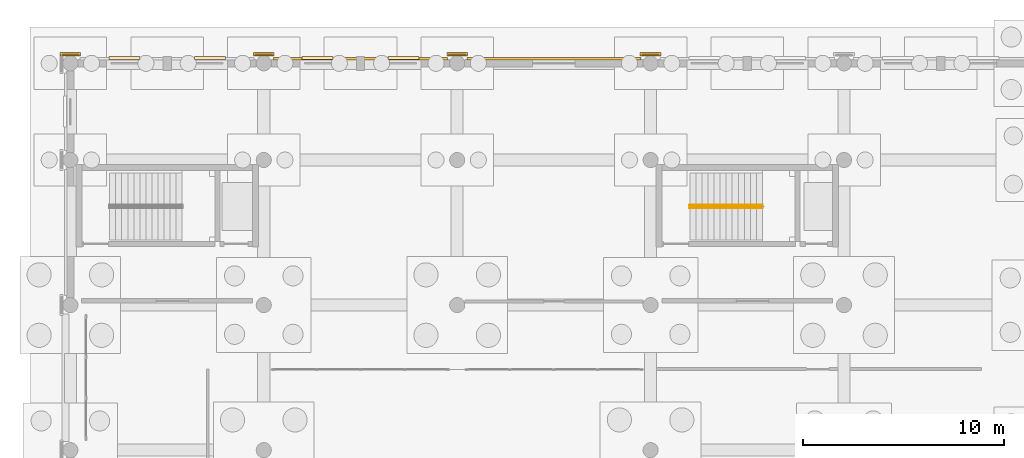
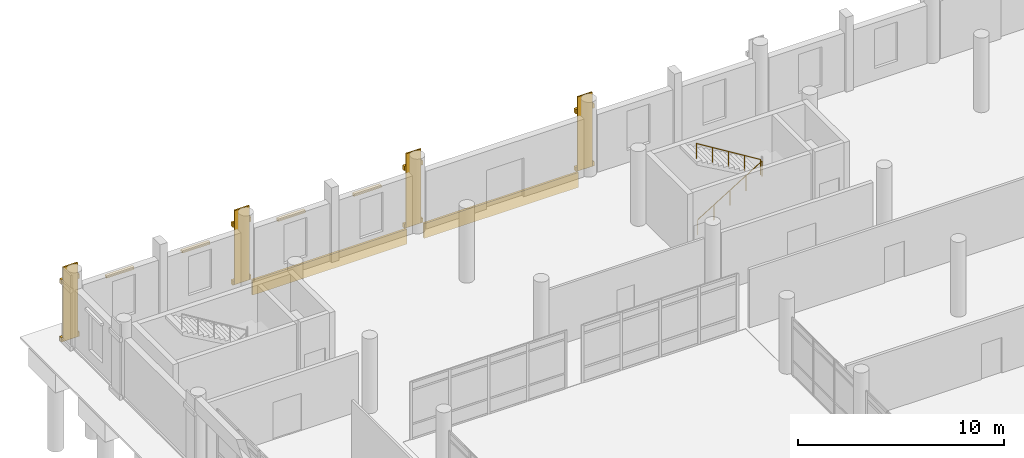
# One storey, part 185 of 196: 18 coverings, 2 railings.
"""IFC4 building model written with IfcOpenShell, lengths in metres."""

from ifc_helpers import new_model, si_unit, direction, frame, origin, origin_2d, place, context, subcontext, project, spatial, rectangle, circle, extrude, material, layer, layer_set, type_object, element, save


model = new_model("IFC4")

# Units and contexts
model_context = context("Model", 3, precision=1e-05, world=origin(), true_north=direction((0.0, 1.0)))
body_context = subcontext(model_context, "Body", "Model", "MODEL_VIEW")
ifc_project = project(units=[si_unit("LENGTHUNIT", "METRE"), si_unit("AREAUNIT", "SQUARE_METRE"), si_unit("VOLUMEUNIT", "CUBIC_METRE"), si_unit("PLANEANGLEUNIT", "RADIAN"), si_unit("MASSUNIT", "GRAM", prefix="KILO")], contexts=[model_context])

# Site, building, storey
site_placement = place(None, origin())
site = spatial("IfcSite", under=ifc_project, at=site_placement, CompositionType="ELEMENT")
building_placement = place(site_placement, origin())
building = spatial("IfcBuilding", under=site, at=building_placement, Name="Asteropetra Specialist Clinic", CompositionType="ELEMENT")
storey_placement = place(building_placement, origin())
storey = spatial("IfcBuildingStorey", under=building, at=storey_placement, Name="L00", CompositionType="ELEMENT", Elevation=0.0)

# Coverings
ifc_material_1 = material(Name="Pentelic marble ashlar", Category="masonry")
ifc_layer = layer(ifc_material_1, 0.159912109375)
ifc_layer_set = layer_set([ifc_layer], Name="Pentelic marble ashlar")
covering_type = type_object("IfcCoveringType", Name="CRN-ENTAB-600", PredefinedType="MOLDING", material=ifc_layer_set)
covering_1_placement = place(storey_placement, frame((0.0, 110.806884765625, 0.02001953125), z_axis=(0.0, 0.0, 1.0), x_axis=(1.0, 0.0, 0.0)))
element("IfcCovering", 1, at=covering_1_placement, inside=storey, type_object=covering_type, Name="Neoclassical Pilaster Facing CM-0478", PredefinedType="MOLDING", context=body_context, shape_type="SweptSolid", body=[
    extrude(rectangle(XDim=0.830078125, YDim=0.080078125, at=origin_2d()), origin(), (0.0, 0.0, 1.0), 4.3798828125),
])
for number, where, z_axis, x_axis, name in (
    (2, (0.0, 110.846923828125, 0.009765625), (0.0, 0.0, 1.0), (1.0, 0.0, 0.0), "Doric Base CC-0479"),
    (3, (0.0, 110.846923828125, 3.43017578125), (0.0, 0.0, 1.0), (1.0, 0.0, 0.0), "Doric Capital CC-0480"),
):
    element("IfcCovering", number, at=place(storey_placement, frame(where, z_axis=z_axis, x_axis=x_axis)), inside=storey, type_object=covering_type, Name=name, PredefinedType="MOLDING", context=body_context, shape_type="SweptSolid", body=[
        extrude(rectangle(XDim=1.030029296875, YDim=0.159912109375, at=origin_2d()), origin(), (0.0, 0.0, 1.0), 0.260009765625),
    ])
covering_2_placement = place(storey_placement, frame((9.60009765625, 110.806884765625, 0.02001953125), z_axis=(0.0, 0.0, 1.0), x_axis=(1.0, 0.0, 0.0)))
element("IfcCovering", 4, at=covering_2_placement, inside=storey, type_object=covering_type, Name="Neoclassical Pilaster Facing CM-0487", PredefinedType="MOLDING", context=body_context, shape_type="SweptSolid", body=[
    extrude(rectangle(XDim=0.830078125, YDim=0.080078125, at=origin_2d()), origin(), (0.0, 0.0, 1.0), 4.3798828125),
])
for number, where, z_axis, x_axis, name in (
    (5, (9.60009765625, 110.846923828125, 0.009765625), (0.0, 0.0, 1.0), (1.0, 0.0, 0.0), "Doric Base CC-0488"),
    (6, (9.60009765625, 110.846923828125, 3.43017578125), (0.0, 0.0, 1.0), (1.0, 0.0, 0.0), "Doric Capital CC-0489"),
):
    element("IfcCovering", number, at=place(storey_placement, frame(where, z_axis=z_axis, x_axis=x_axis)), inside=storey, type_object=covering_type, Name=name, PredefinedType="MOLDING", context=body_context, shape_type="SweptSolid", body=[
        extrude(rectangle(XDim=1.030029296875, YDim=0.159912109375, at=origin_2d()), origin(), (0.0, 0.0, 1.0), 0.260009765625),
    ])
covering_3_placement = place(storey_placement, frame((19.199951171875, 110.806884765625, 0.02001953125), z_axis=(0.0, 0.0, 1.0), x_axis=(1.0, 0.0, 0.0)))
element("IfcCovering", 7, at=covering_3_placement, inside=storey, type_object=covering_type, Name="Neoclassical Pilaster Facing CM-0493", PredefinedType="MOLDING", context=body_context, shape_type="SweptSolid", body=[
    extrude(rectangle(XDim=0.830078125, YDim=0.080078125, at=origin_2d()), origin(), (0.0, 0.0, 1.0), 4.3798828125),
])
for number, where, z_axis, x_axis, name in (
    (8, (19.199951171875, 110.846923828125, 0.009765625), (0.0, 0.0, 1.0), (1.0, 0.0, 0.0), "Doric Base CC-0494"),
    (9, (19.199951171875, 110.846923828125, 3.43017578125), (0.0, 0.0, 1.0), (1.0, 0.0, 0.0), "Doric Capital CC-0495"),
):
    element("IfcCovering", number, at=place(storey_placement, frame(where, z_axis=z_axis, x_axis=x_axis)), inside=storey, type_object=covering_type, Name=name, PredefinedType="MOLDING", context=body_context, shape_type="SweptSolid", body=[
        extrude(rectangle(XDim=1.030029296875, YDim=0.159912109375, at=origin_2d()), origin(), (0.0, 0.0, 1.0), 0.260009765625),
    ])
covering_4_placement = place(storey_placement, frame((28.800048828125, 110.806884765625, 0.02001953125), z_axis=(0.0, 0.0, 1.0), x_axis=(1.0, 0.0, 0.0)))
element("IfcCovering", 10, at=covering_4_placement, inside=storey, type_object=covering_type, Name="Neoclassical Pilaster Facing CM-0499", PredefinedType="MOLDING", context=body_context, shape_type="SweptSolid", body=[
    extrude(rectangle(XDim=0.830078125, YDim=0.080078125, at=origin_2d()), origin(), (0.0, 0.0, 1.0), 4.3798828125),
])
for number, where, z_axis, x_axis, name in (
    (11, (28.800048828125, 110.846923828125, 0.009765625), (0.0, 0.0, 1.0), (1.0, 0.0, 0.0), "Doric Base CC-0500"),
    (12, (28.800048828125, 110.846923828125, 3.43017578125), (0.0, 0.0, 1.0), (1.0, 0.0, 0.0), "Doric Capital CC-0501"),
):
    element("IfcCovering", number, at=place(storey_placement, frame(where, z_axis=z_axis, x_axis=x_axis)), inside=storey, type_object=covering_type, Name=name, PredefinedType="MOLDING", context=body_context, shape_type="SweptSolid", body=[
        extrude(rectangle(XDim=1.030029296875, YDim=0.159912109375, at=origin_2d()), origin(), (0.0, 0.0, 1.0), 0.260009765625),
    ])
for number, where, z_axis, x_axis, name in (
    (13, (6.924072265625, 110.659912109375, 3.05029296875), (0.0, 0.0, 1.0), (1.0, 0.0, 0.0), "Classical Window Hood WH-1377"),
    (14, (2.676025390625, 110.659912109375, 3.05029296875), (0.0, 0.0, 1.0), (1.0, 0.0, 0.0), "Classical Window Hood WH-1378"),
    (15, (16.52392578125, 110.659912109375, 3.05029296875), (0.0, 0.0, 1.0), (1.0, 0.0, 0.0), "Classical Window Hood WH-1380"),
    (16, (12.27587890625, 110.659912109375, 3.05029296875), (0.0, 0.0, 1.0), (1.0, 0.0, 0.0), "Classical Window Hood WH-1381"),
):
    element("IfcCovering", number, at=place(storey_placement, frame(where, z_axis=z_axis, x_axis=x_axis)), inside=storey, type_object=covering_type, Name=name, PredefinedType="MOLDING", context=body_context, shape_type="SweptSolid", body=[
        extrude(rectangle(XDim=1.5400390625, YDim=0.159912109375, at=origin_2d()), origin(), (0.0, 0.0, 1.0), 0.139892578125),
    ])
for number, where, z_axis, x_axis, name in (
    (17, (14.39990234375, 110.6298828125, -0.800048828125), (0.0, 0.0, 1.0), (1.0, 0.0, 0.0), "Chevron Spandrel Band CV-1382"),
    (18, (24.0, 110.6298828125, -0.800048828125), (0.0, 0.0, 1.0), (1.0, 0.0, 0.0), "Chevron Spandrel Band CV-1383"),
):
    element("IfcCovering", number, at=place(storey_placement, frame(where, z_axis=z_axis, x_axis=x_axis)), inside=storey, type_object=covering_type, Name=name, PredefinedType="MOLDING", context=body_context, shape_type="SweptSolid", body=[
        extrude(rectangle(XDim=8.64990234375, YDim=0.1201171875, at=origin_2d()), origin(), (0.0, 0.0, 1.0), 0.8798828125),
    ])

# Railings
ifc_material_2 = material(Name="Brushed stainless steel handrail", Category="steel")
railing_type = type_object("IfcRailingType", Name="HRL-STAIR-920", PredefinedType="HANDRAIL", material=ifc_material_2)
railing_1_placement = place(storey_placement, frame((30.75, 103.219970703125, 0.0)))
element("IfcRailing", 19, at=railing_1_placement, inside=storey, type_object=railing_type, Name="Stair Handrail ST02-L00 F1", PredefinedType="HANDRAIL", context=body_context, shape_type="SweptSolid", body=[
    extrude(circle(Radius=0.02392578125, at=origin_2d()), frame((0.0, 0.0, 0.89599609375), z_axis=(0.85223722916, 0.0, 0.523155526811), x_axis=(0.0, 1.0, 0.0)), (0.0, 0.0, 1.0), 4.224365234375),
    extrude(circle(Radius=0.02099609375, at=origin_2d()), origin(), (0.0, 0.0, 1.0), 0.871826171875),
    extrude(circle(Radius=0.02099609375, at=origin_2d()), frame((0.89990234375, 0.0, 0.552490234375)), (0.0, 0.0, 1.0), 0.871826171875),
    extrude(circle(Radius=0.02099609375, at=origin_2d()), frame((1.800048828125, 0.0, 1.10498046875)), (0.0, 0.0, 1.0), 0.871826171875),
    extrude(circle(Radius=0.02099609375, at=origin_2d()), frame((2.7001953125, 0.0, 1.657470703125)), (0.0, 0.0, 1.0), 0.871826171875),
    extrude(circle(Radius=0.02099609375, at=origin_2d()), frame((3.60009765625, 0.0, 2.2099609375)), (0.0, 0.0, 1.0), 0.871826171875),
])
railing_2_placement = place(storey_placement, frame((34.35009765625, 103.360107421875, 2.2099609375)))
element("IfcRailing", 20, at=railing_2_placement, inside=storey, type_object=railing_type, Name="Stair Handrail ST02-L00 F2", PredefinedType="HANDRAIL", context=body_context, shape_type="SweptSolid", body=[
    extrude(circle(Radius=0.02392578125, at=origin_2d()), frame((0.0, 0.0, 0.89599609375), z_axis=(-0.85223722916, 0.0, 0.523155526811), x_axis=(0.0, -1.0, 0.0)), (0.0, 0.0, 1.0), 4.224365234375),
    extrude(circle(Radius=0.02099609375, at=origin_2d()), origin(), (0.0, 0.0, 1.0), 0.871826171875),
    extrude(circle(Radius=0.02099609375, at=origin_2d()), frame((-0.89990234375, 0.0, 0.552490234375)), (0.0, 0.0, 1.0), 0.871826171875),
    extrude(circle(Radius=0.02099609375, at=origin_2d()), frame((-1.800048828125, 0.0, 1.10498046875)), (0.0, 0.0, 1.0), 0.871826171875),
    extrude(circle(Radius=0.02099609375, at=origin_2d()), frame((-2.7001953125, 0.0, 1.657470703125)), (0.0, 0.0, 1.0), 0.871826171875),
    extrude(circle(Radius=0.02099609375, at=origin_2d()), frame((-3.60009765625, 0.0, 2.2099609375)), (0.0, 0.0, 1.0), 0.871826171875),
])

save(model, "model.ifc")
